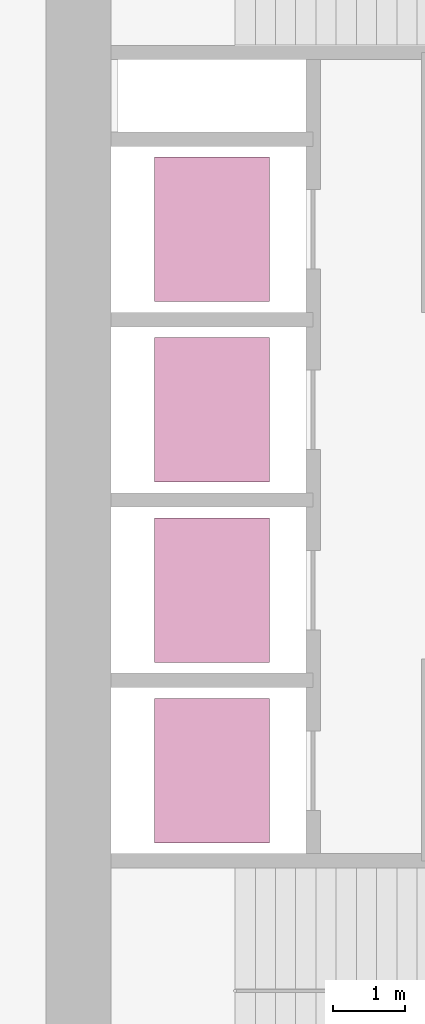
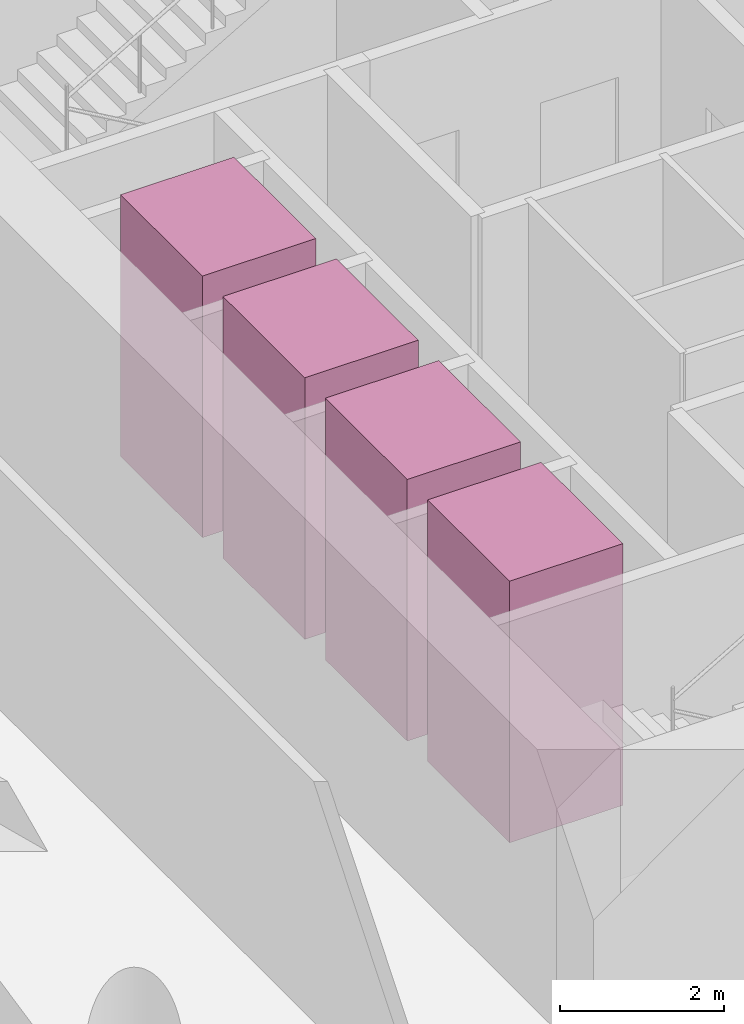
# One storey, part 11 of 11: 4 transport elements.
"""IFC4 building model written with IfcOpenShell, lengths in metres."""

from ifc_helpers import new_model, si_unit, direction, frame, origin, origin_2d, place, context, subcontext, project, spatial, rectangle, extrude, material, type_object, element, save


model = new_model("IFC4")

# Units and contexts
model_context = context("Model", 3, precision=1e-05, world=origin(), true_north=direction((0.0, 1.0)))
body_context = subcontext(model_context, "Body", "Model", "MODEL_VIEW")
ifc_project = project(units=[si_unit("LENGTHUNIT", "METRE"), si_unit("AREAUNIT", "SQUARE_METRE"), si_unit("VOLUMEUNIT", "CUBIC_METRE"), si_unit("PLANEANGLEUNIT", "RADIAN"), si_unit("MASSUNIT", "GRAM", prefix="KILO")], contexts=[model_context])

# Site, building, storey
site_placement = place(None, origin())
site = spatial("IfcSite", under=ifc_project, at=site_placement, CompositionType="ELEMENT")
building_placement = place(site_placement, origin())
building = spatial("IfcBuilding", under=site, at=building_placement, Name="Qaws Garden Tower", CompositionType="ELEMENT")
storey_placement = place(building_placement, frame((0.0, 0.0, 86.10009765625)))
storey = spatial("IfcBuildingStorey", under=building, at=storey_placement, Name="L21", CompositionType="ELEMENT", Elevation=86.10009765625)

# Transport elements
ifc_material = material(Name="Stainless steel 316", Category="steel")
transport_element_type = type_object("IfcTransportElementType", Name="Passenger lift car 2000x1600 1800 kg", PredefinedType="ELEVATOR", material=ifc_material)
for number, where, z_axis, x_axis, name in (
    (1, (10.300048828125, 13.64990234375, 0.0), (0.0, 0.0, 1.0), (1.0, 0.0, 0.0), "LR1"),
    (2, (10.300048828125, 16.14990234375, 0.0), (0.0, 0.0, 1.0), (1.0, 0.0, 0.0), "LR2"),
    (3, (10.300048828125, 18.64990234375, 0.0), (0.0, 0.0, 1.0), (1.0, 0.0, 0.0), "LR3"),
    (4, (10.300048828125, 21.14990234375, 0.0), (0.0, 0.0, 1.0), (1.0, 0.0, 0.0), "LR4"),
):
    element("IfcTransportElement", number, at=place(storey_placement, frame(where, z_axis=z_axis, x_axis=x_axis)), inside=storey, type_object=transport_element_type, Name=name, PredefinedType="ELEVATOR", context=body_context, shape_type="SweptSolid", body=[
        extrude(rectangle(XDim=1.60009765625, YDim=2.0, at=origin_2d()), origin(), (0.0, 0.0, 1.0), 3.89990234375),
    ])

save(model, "model.ifc")
